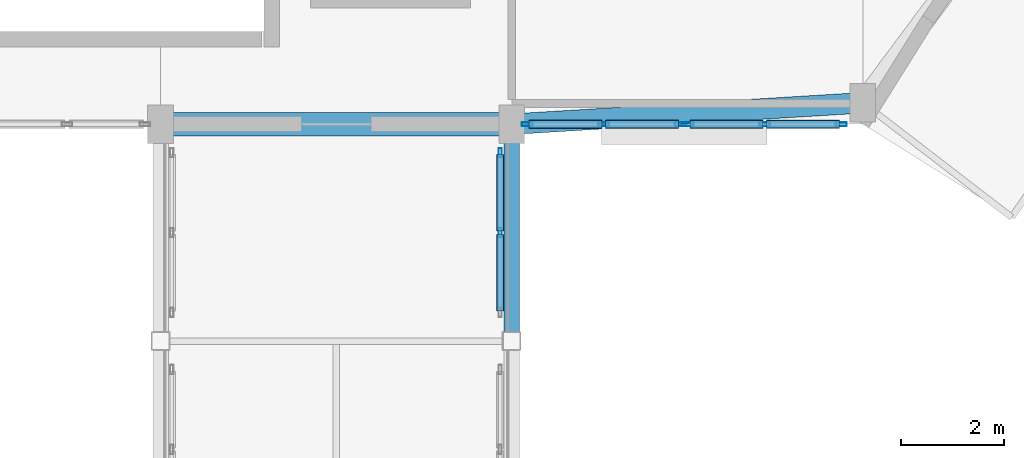
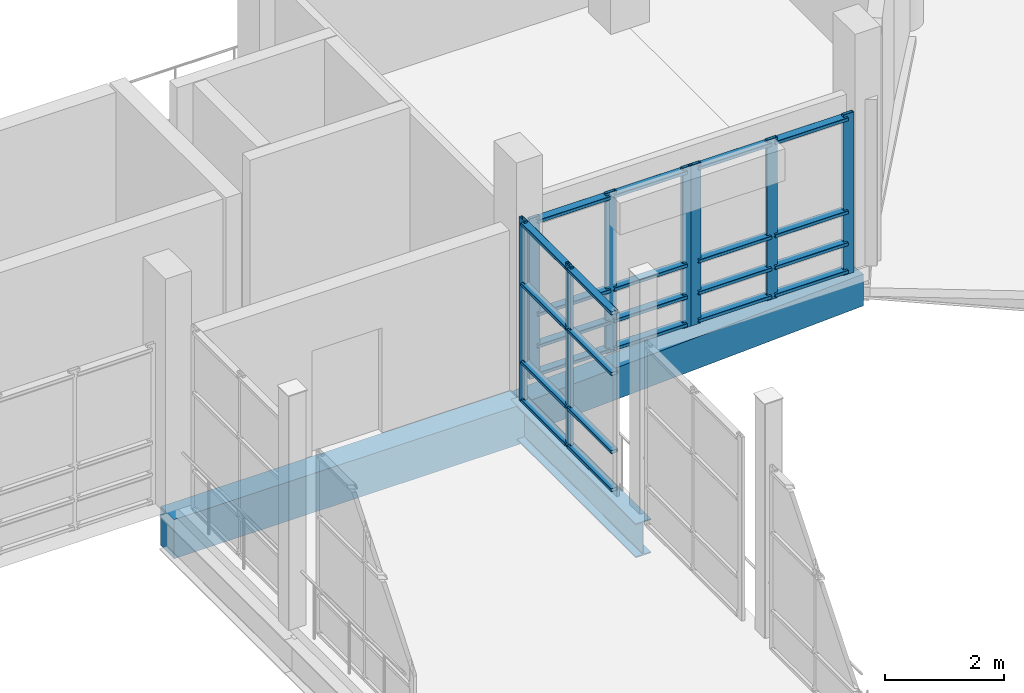
# One storey, part 27 of 106: 32 members, 3 beams, 3 elements without a shape of their own.
"""IFC4 building model written with IfcOpenShell, lengths in metres."""

from ifc_helpers import new_model, si_unit, direction, frame, origin, origin_2d, place, context, subcontext, project, spatial, rectangle, hollow_rectangle, i_section, extrude, material, layer, layer_set, material_profile, profile_set, type_object, element, aggregate, save


model = new_model("IFC4")

# Units and contexts
model_context = context("Model", 3, precision=1e-05, world=origin(), true_north=direction((0.0, 1.0)))
body_context = subcontext(model_context, "Body", "Model", "MODEL_VIEW")
ifc_project = project(units=[si_unit("LENGTHUNIT", "METRE"), si_unit("AREAUNIT", "SQUARE_METRE"), si_unit("VOLUMEUNIT", "CUBIC_METRE"), si_unit("PLANEANGLEUNIT", "RADIAN"), si_unit("MASSUNIT", "GRAM", prefix="KILO")], contexts=[model_context])

# Site, building, storey
site_placement = place(None, origin())
site = spatial("IfcSite", under=ifc_project, at=site_placement, CompositionType="ELEMENT")
building_placement = place(site_placement, origin())
building = spatial("IfcBuilding", under=site, at=building_placement, Name="Kisaragi Civic Commons", CompositionType="ELEMENT")
storey_placement = place(building_placement, frame((0.0, 0.0, 4.800048828125)))
storey = spatial("IfcBuildingStorey", under=building, at=storey_placement, Name="L01", CompositionType="ELEMENT", Elevation=4.800048828125)

# Curtain wall, members
ifc_material_1 = material(Name="Thermally broken anodized aluminium and low-E double glazing", Category="aluminium")
ifc_layer_1 = layer(ifc_material_1, 0.179931640625, Name="Thermally broken anodized aluminium and low-E double glazing", Category="aluminium")
ifc_layer_set_1 = layer_set([ifc_layer_1], Name="Thermally broken anodized aluminium and low-E double glazing")
curtain_wall_type_1 = type_object("IfcCurtainWallType", Name="CW-04", PredefinedType="NOTDEFINED", material=ifc_layer_set_1)
curtain_wall_1_placement = place(storey_placement, origin())
curtain_wall_1 = element("IfcCurtainWall", 1, at=curtain_wall_1_placement, inside=storey, type_object=curtain_wall_type_1, Name="L01 curtain wall CW-04 CW-BR-132", PredefinedType="NOTDEFINED")
ifc_material_profile_1 = material_profile(ifc_material_1, hollow_rectangle(XDim=0.06494140625, YDim=0.179931640625, WallThickness=0.00439453125, InnerFilletRadius=0.00439453125, OuterFilletRadius=0.009033203125, at=origin_2d()), Name="CWM-65x180x4.5", Category="aluminium")
ifc_profile_set_1 = profile_set([ifc_material_profile_1], Name="Thermally broken anodized aluminium and low-E double glazing")
member_type_1 = type_object("IfcMemberType", Name="CWM-02", PredefinedType="MULLION", material=ifc_profile_set_1)
member_1_placement = place(storey_placement, frame((20.179931640625, 77.10009765625, 0.0), z_axis=(0.0, 0.0, 1.0), x_axis=(-1.0, 0.0, 0.0)))
member_1 = element("IfcMember", 2, at=member_1_placement, type_object=member_type_1, Name="CW-04 mullion 2", PredefinedType="MULLION", context=body_context, shape_type="SweptSolid", body=[
    extrude(hollow_rectangle(XDim=0.06494140625, YDim=0.179931640625, WallThickness=0.00439453125, InnerFilletRadius=0.00439453125, OuterFilletRadius=0.009033203125, at=origin_2d()), origin(), (0.0, 0.0, 1.0), 3.760009765625),
])
member_2_placement = place(storey_placement, frame((20.179931640625, 78.6474609375, 0.0), z_axis=(0.0, 0.0, 1.0), x_axis=(-1.0, 0.0, 0.0)))
member_2 = element("IfcMember", 3, at=member_2_placement, type_object=member_type_1, Name="CW-04 mullion 3", PredefinedType="MULLION", context=body_context, shape_type="SweptSolid", body=[
    extrude(hollow_rectangle(XDim=0.06494140625, YDim=0.179931640625, WallThickness=0.00439453125, InnerFilletRadius=0.00439453125, OuterFilletRadius=0.009033203125, at=origin_2d()), origin(), (0.0, 0.0, 1.0), 3.760009765625),
])

ifc_layer_2 = layer(ifc_material_1, 0.2099609375, Name="Thermally broken anodized aluminium and low-E double glazing", Category="aluminium")
ifc_layer_set_2 = layer_set([ifc_layer_2], Name="Thermally broken anodized aluminium and low-E double glazing")
curtain_wall_type_2 = type_object("IfcCurtainWallType", Name="CW-02", PredefinedType="NOTDEFINED", material=ifc_layer_set_2)
curtain_wall_2_placement = place(storey_placement, origin())
curtain_wall_2 = element("IfcCurtainWall", 4, at=curtain_wall_2_placement, inside=storey, type_object=curtain_wall_type_2, Name="L01 curtain wall CW-02 CW-V2-L01-005", PredefinedType="NOTDEFINED")
ifc_material_profile_2 = material_profile(ifc_material_1, hollow_rectangle(XDim=0.070068359375, YDim=0.2099609375, WallThickness=0.0048828125, InnerFilletRadius=0.0048828125, OuterFilletRadius=0.010009765625, at=origin_2d()), Name="CWM-70x210x5", Category="aluminium")
ifc_profile_set_2 = profile_set([ifc_material_profile_2], Name="Thermally broken anodized aluminium and low-E double glazing")
member_type_2 = type_object("IfcMemberType", Name="CWM-03", PredefinedType="MULLION", material=ifc_profile_set_2)
member_3_placement = place(storey_placement, frame((26.784912109375, 79.199951171875, 0.0), z_axis=(0.0, 0.0, 1.0), x_axis=(0.0, -1.0, 0.0)))
member_3 = element("IfcMember", 5, at=member_3_placement, type_object=member_type_2, Name="CW-02 mullion 1", PredefinedType="MULLION", context=body_context, shape_type="SweptSolid", body=[
    extrude(hollow_rectangle(XDim=0.070068359375, YDim=0.2099609375, WallThickness=0.0048828125, InnerFilletRadius=0.0048828125, OuterFilletRadius=0.010009765625, at=origin_2d()), origin(), (0.0, 0.0, 1.0), 3.284912109375),
])
member_4_placement = place(storey_placement, frame((25.30126953125, 79.199951171875, 0.0), z_axis=(0.0, 0.0, 1.0), x_axis=(0.0, -1.0, 0.0)))
member_4 = element("IfcMember", 6, at=member_4_placement, type_object=member_type_2, Name="CW-02 mullion 2", PredefinedType="MULLION", context=body_context, shape_type="SweptSolid", body=[
    extrude(hollow_rectangle(XDim=0.070068359375, YDim=0.2099609375, WallThickness=0.0048828125, InnerFilletRadius=0.0048828125, OuterFilletRadius=0.010009765625, at=origin_2d()), origin(), (0.0, 0.0, 1.0), 3.284912109375),
])
member_5_placement = place(storey_placement, frame((23.8173828125, 79.199951171875, 0.0), z_axis=(0.0, 0.0, 1.0), x_axis=(0.0, -1.0, 0.0)))
member_5 = element("IfcMember", 7, at=member_5_placement, type_object=member_type_2, Name="CW-02 mullion 3", PredefinedType="MULLION", context=body_context, shape_type="SweptSolid", body=[
    extrude(hollow_rectangle(XDim=0.070068359375, YDim=0.2099609375, WallThickness=0.0048828125, InnerFilletRadius=0.0048828125, OuterFilletRadius=0.010009765625, at=origin_2d()), origin(), (0.0, 0.0, 1.0), 3.284912109375),
])

curtain_wall_3_placement = place(storey_placement, origin())
curtain_wall_3 = element("IfcCurtainWall", 8, at=curtain_wall_3_placement, inside=storey, type_object=curtain_wall_type_2, Name="L01 curtain wall CW-02 CW-V2-L01-006", PredefinedType="NOTDEFINED")
member_6_placement = place(storey_placement, frame((23.66748046875, 79.199951171875, 0.0), z_axis=(0.0, 0.0, 1.0), x_axis=(0.0, -1.0, 0.0)))
member_6 = element("IfcMember", 9, at=member_6_placement, type_object=member_type_2, Name="CW-02 mullion 1", PredefinedType="MULLION", context=body_context, shape_type="SweptSolid", body=[
    extrude(hollow_rectangle(XDim=0.070068359375, YDim=0.2099609375, WallThickness=0.0048828125, InnerFilletRadius=0.0048828125, OuterFilletRadius=0.010009765625, at=origin_2d()), origin(), (0.0, 0.0, 1.0), 3.284912109375),
])
member_7_placement = place(storey_placement, frame((22.183837890625, 79.199951171875, 0.0), z_axis=(0.0, 0.0, 1.0), x_axis=(0.0, -1.0, 0.0)))
member_7 = element("IfcMember", 10, at=member_7_placement, type_object=member_type_2, Name="CW-02 mullion 2", PredefinedType="MULLION", context=body_context, shape_type="SweptSolid", body=[
    extrude(hollow_rectangle(XDim=0.070068359375, YDim=0.2099609375, WallThickness=0.0048828125, InnerFilletRadius=0.0048828125, OuterFilletRadius=0.010009765625, at=origin_2d()), origin(), (0.0, 0.0, 1.0), 3.284912109375),
])
member_8_placement = place(storey_placement, frame((20.699951171875, 79.199951171875, 0.0), z_axis=(0.0, 0.0, 1.0), x_axis=(0.0, -1.0, 0.0)))
member_8 = element("IfcMember", 11, at=member_8_placement, type_object=member_type_2, Name="CW-02 mullion 3", PredefinedType="MULLION", context=body_context, shape_type="SweptSolid", body=[
    extrude(hollow_rectangle(XDim=0.070068359375, YDim=0.2099609375, WallThickness=0.0048828125, InnerFilletRadius=0.0048828125, OuterFilletRadius=0.010009765625, at=origin_2d()), origin(), (0.0, 0.0, 1.0), 3.284912109375),
])

# Member
ifc_material_profile_3 = material_profile(ifc_material_1, hollow_rectangle(XDim=0.139892578125, YDim=0.06494140625, WallThickness=0.00439453125, InnerFilletRadius=0.00439453125, OuterFilletRadius=0.009033203125, at=origin_2d()), Name="CWT-65x140x4.5", Category="aluminium")
ifc_profile_set_3 = profile_set([ifc_material_profile_3], Name="Thermally broken anodized aluminium and low-E double glazing")
member_type_3 = type_object("IfcMemberType", Name="CWT-02", PredefinedType="USERDEFINED", material=ifc_profile_set_3)
member_9_placement = place(storey_placement, frame((20.179931640625, 75.5849609375, 0.070068359375), z_axis=(0.0, 1.0, 0.0), x_axis=(-1.0, 0.0, 0.0)))
member_9 = element("IfcMember", 12, at=member_9_placement, type_object=member_type_3, Name="CW-04 transom 1.1", ObjectType="TRANSOM", PredefinedType="USERDEFINED", context=body_context, shape_type="SweptSolid", body=[
    extrude(hollow_rectangle(XDim=0.139892578125, YDim=0.06494140625, WallThickness=0.00439453125, InnerFilletRadius=0.00439453125, OuterFilletRadius=0.009033203125, at=origin_2d()), origin(), (0.0, 0.0, 1.0), 1.482421875),
])

member_10_placement = place(storey_placement, frame((20.179931640625, 75.5849609375, 0.849853515625), z_axis=(0.0, 1.0, 0.0), x_axis=(-1.0, 0.0, 0.0)))
member_10 = element("IfcMember", 13, at=member_10_placement, type_object=member_type_3, Name="CW-04 transom 1.2", ObjectType="TRANSOM", PredefinedType="USERDEFINED", context=body_context, shape_type="SweptSolid", body=[
    extrude(hollow_rectangle(XDim=0.139892578125, YDim=0.06494140625, WallThickness=0.00439453125, InnerFilletRadius=0.00439453125, OuterFilletRadius=0.009033203125, at=origin_2d()), origin(), (0.0, 0.0, 1.0), 1.482421875),
])

member_11_placement = place(storey_placement, frame((20.179931640625, 75.5849609375, 2.449951171875), z_axis=(0.0, 1.0, 0.0), x_axis=(-1.0, 0.0, 0.0)))
member_11 = element("IfcMember", 14, at=member_11_placement, type_object=member_type_3, Name="CW-04 transom 1.3", ObjectType="TRANSOM", PredefinedType="USERDEFINED", context=body_context, shape_type="SweptSolid", body=[
    extrude(hollow_rectangle(XDim=0.139892578125, YDim=0.06494140625, WallThickness=0.00439453125, InnerFilletRadius=0.00439453125, OuterFilletRadius=0.009033203125, at=origin_2d()), origin(), (0.0, 0.0, 1.0), 1.482421875),
])

member_12_placement = place(storey_placement, frame((20.179931640625, 75.5849609375, 3.68994140625), z_axis=(0.0, 1.0, 0.0), x_axis=(-1.0, 0.0, 0.0)))
member_12 = element("IfcMember", 15, at=member_12_placement, type_object=member_type_3, Name="CW-04 transom 1.4", ObjectType="TRANSOM", PredefinedType="USERDEFINED", context=body_context, shape_type="SweptSolid", body=[
    extrude(hollow_rectangle(XDim=0.139892578125, YDim=0.06494140625, WallThickness=0.00439453125, InnerFilletRadius=0.00439453125, OuterFilletRadius=0.009033203125, at=origin_2d()), origin(), (0.0, 0.0, 1.0), 1.482421875),
])

member_13_placement = place(storey_placement, frame((20.179931640625, 77.132568359375, 0.070068359375), z_axis=(0.0, 1.0, 0.0), x_axis=(-1.0, 0.0, 0.0)))
member_13 = element("IfcMember", 16, at=member_13_placement, type_object=member_type_3, Name="CW-04 transom 2.1", ObjectType="TRANSOM", PredefinedType="USERDEFINED", context=body_context, shape_type="SweptSolid", body=[
    extrude(hollow_rectangle(XDim=0.139892578125, YDim=0.06494140625, WallThickness=0.00439453125, InnerFilletRadius=0.00439453125, OuterFilletRadius=0.009033203125, at=origin_2d()), origin(), (0.0, 0.0, 1.0), 1.482421875),
])

member_14_placement = place(storey_placement, frame((20.179931640625, 77.132568359375, 0.849853515625), z_axis=(0.0, 1.0, 0.0), x_axis=(-1.0, 0.0, 0.0)))
member_14 = element("IfcMember", 17, at=member_14_placement, type_object=member_type_3, Name="CW-04 transom 2.2", ObjectType="TRANSOM", PredefinedType="USERDEFINED", context=body_context, shape_type="SweptSolid", body=[
    extrude(hollow_rectangle(XDim=0.139892578125, YDim=0.06494140625, WallThickness=0.00439453125, InnerFilletRadius=0.00439453125, OuterFilletRadius=0.009033203125, at=origin_2d()), origin(), (0.0, 0.0, 1.0), 1.482421875),
])

member_15_placement = place(storey_placement, frame((20.179931640625, 77.132568359375, 2.449951171875), z_axis=(0.0, 1.0, 0.0), x_axis=(-1.0, 0.0, 0.0)))
member_15 = element("IfcMember", 18, at=member_15_placement, type_object=member_type_3, Name="CW-04 transom 2.3", ObjectType="TRANSOM", PredefinedType="USERDEFINED", context=body_context, shape_type="SweptSolid", body=[
    extrude(hollow_rectangle(XDim=0.139892578125, YDim=0.06494140625, WallThickness=0.00439453125, InnerFilletRadius=0.00439453125, OuterFilletRadius=0.009033203125, at=origin_2d()), origin(), (0.0, 0.0, 1.0), 1.482421875),
])

member_16_placement = place(storey_placement, frame((20.179931640625, 77.132568359375, 3.68994140625), z_axis=(0.0, 1.0, 0.0), x_axis=(-1.0, 0.0, 0.0)))
member_16 = element("IfcMember", 19, at=member_16_placement, type_object=member_type_3, Name="CW-04 transom 2.4", ObjectType="TRANSOM", PredefinedType="USERDEFINED", context=body_context, shape_type="SweptSolid", body=[
    extrude(hollow_rectangle(XDim=0.139892578125, YDim=0.06494140625, WallThickness=0.00439453125, InnerFilletRadius=0.00439453125, OuterFilletRadius=0.009033203125, at=origin_2d()), origin(), (0.0, 0.0, 1.0), 1.482421875),
])

aggregate(curtain_wall_1, [member_1, member_2, member_9, member_10, member_11, member_12, member_13, member_14, member_15, member_16])

ifc_material_profile_4 = material_profile(ifc_material_1, hollow_rectangle(XDim=0.159912109375, YDim=0.070068359375, WallThickness=0.0048828125, InnerFilletRadius=0.0048828125, OuterFilletRadius=0.010009765625, at=origin_2d()), Name="CWT-70x160x5", Category="aluminium")
ifc_profile_set_4 = profile_set([ifc_material_profile_4], Name="Thermally broken anodized aluminium and low-E double glazing")
member_type_4 = type_object("IfcMemberType", Name="CWT-03", PredefinedType="USERDEFINED", material=ifc_profile_set_4)
member_17_placement = place(storey_placement, frame((26.75, 79.199951171875, 0.079833984375), z_axis=(-1.0, 0.0, 0.0), x_axis=(0.0, -1.0, 0.0)))
member_17 = element("IfcMember", 20, at=member_17_placement, type_object=member_type_4, Name="CW-02 transom 1.1", ObjectType="TRANSOM", PredefinedType="USERDEFINED", context=body_context, shape_type="SweptSolid", body=[
    extrude(hollow_rectangle(XDim=0.159912109375, YDim=0.070068359375, WallThickness=0.0048828125, InnerFilletRadius=0.0048828125, OuterFilletRadius=0.010009765625, at=origin_2d()), origin(), (0.0, 0.0, 1.0), 1.413818359375),
])

member_18_placement = place(storey_placement, frame((26.75, 79.199951171875, 0.64990234375), z_axis=(-1.0, 0.0, 0.0), x_axis=(0.0, -1.0, 0.0)))
member_18 = element("IfcMember", 21, at=member_18_placement, type_object=member_type_4, Name="CW-02 transom 1.2", ObjectType="TRANSOM", PredefinedType="USERDEFINED", context=body_context, shape_type="SweptSolid", body=[
    extrude(hollow_rectangle(XDim=0.159912109375, YDim=0.070068359375, WallThickness=0.0048828125, InnerFilletRadius=0.0048828125, OuterFilletRadius=0.010009765625, at=origin_2d()), origin(), (0.0, 0.0, 1.0), 1.413818359375),
])

member_19_placement = place(storey_placement, frame((26.75, 79.199951171875, 1.300048828125), z_axis=(-1.0, 0.0, 0.0), x_axis=(0.0, -1.0, 0.0)))
member_19 = element("IfcMember", 22, at=member_19_placement, type_object=member_type_4, Name="CW-02 transom 1.3", ObjectType="TRANSOM", PredefinedType="USERDEFINED", context=body_context, shape_type="SweptSolid", body=[
    extrude(hollow_rectangle(XDim=0.159912109375, YDim=0.070068359375, WallThickness=0.0048828125, InnerFilletRadius=0.0048828125, OuterFilletRadius=0.010009765625, at=origin_2d()), origin(), (0.0, 0.0, 1.0), 1.413818359375),
])

member_20_placement = place(storey_placement, frame((26.75, 79.199951171875, 3.204833984375), z_axis=(-1.0, 0.0, 0.0), x_axis=(0.0, -1.0, 0.0)))
member_20 = element("IfcMember", 23, at=member_20_placement, type_object=member_type_4, Name="CW-02 transom 1.4", ObjectType="TRANSOM", PredefinedType="USERDEFINED", context=body_context, shape_type="SweptSolid", body=[
    extrude(hollow_rectangle(XDim=0.159912109375, YDim=0.070068359375, WallThickness=0.0048828125, InnerFilletRadius=0.0048828125, OuterFilletRadius=0.010009765625, at=origin_2d()), origin(), (0.0, 0.0, 1.0), 1.413818359375),
])

member_21_placement = place(storey_placement, frame((25.266357421875, 79.199951171875, 0.079833984375), z_axis=(-1.0, 0.0, 0.0), x_axis=(0.0, -1.0, 0.0)))
member_21 = element("IfcMember", 24, at=member_21_placement, type_object=member_type_4, Name="CW-02 transom 2.1", ObjectType="TRANSOM", PredefinedType="USERDEFINED", context=body_context, shape_type="SweptSolid", body=[
    extrude(hollow_rectangle(XDim=0.159912109375, YDim=0.070068359375, WallThickness=0.0048828125, InnerFilletRadius=0.0048828125, OuterFilletRadius=0.010009765625, at=origin_2d()), origin(), (0.0, 0.0, 1.0), 1.413818359375),
])

member_22_placement = place(storey_placement, frame((25.266357421875, 79.199951171875, 0.64990234375), z_axis=(-1.0, 0.0, 0.0), x_axis=(0.0, -1.0, 0.0)))
member_22 = element("IfcMember", 25, at=member_22_placement, type_object=member_type_4, Name="CW-02 transom 2.2", ObjectType="TRANSOM", PredefinedType="USERDEFINED", context=body_context, shape_type="SweptSolid", body=[
    extrude(hollow_rectangle(XDim=0.159912109375, YDim=0.070068359375, WallThickness=0.0048828125, InnerFilletRadius=0.0048828125, OuterFilletRadius=0.010009765625, at=origin_2d()), origin(), (0.0, 0.0, 1.0), 1.413818359375),
])

member_23_placement = place(storey_placement, frame((25.266357421875, 79.199951171875, 1.300048828125), z_axis=(-1.0, 0.0, 0.0), x_axis=(0.0, -1.0, 0.0)))
member_23 = element("IfcMember", 26, at=member_23_placement, type_object=member_type_4, Name="CW-02 transom 2.3", ObjectType="TRANSOM", PredefinedType="USERDEFINED", context=body_context, shape_type="SweptSolid", body=[
    extrude(hollow_rectangle(XDim=0.159912109375, YDim=0.070068359375, WallThickness=0.0048828125, InnerFilletRadius=0.0048828125, OuterFilletRadius=0.010009765625, at=origin_2d()), origin(), (0.0, 0.0, 1.0), 1.413818359375),
])

member_24_placement = place(storey_placement, frame((25.266357421875, 79.199951171875, 3.204833984375), z_axis=(-1.0, 0.0, 0.0), x_axis=(0.0, -1.0, 0.0)))
member_24 = element("IfcMember", 27, at=member_24_placement, type_object=member_type_4, Name="CW-02 transom 2.4", ObjectType="TRANSOM", PredefinedType="USERDEFINED", context=body_context, shape_type="SweptSolid", body=[
    extrude(hollow_rectangle(XDim=0.159912109375, YDim=0.070068359375, WallThickness=0.0048828125, InnerFilletRadius=0.0048828125, OuterFilletRadius=0.010009765625, at=origin_2d()), origin(), (0.0, 0.0, 1.0), 1.413818359375),
])

aggregate(curtain_wall_2, [member_3, member_4, member_5, member_17, member_18, member_19, member_20, member_21, member_22, member_23, member_24])

member_25_placement = place(storey_placement, frame((23.632568359375, 79.199951171875, 0.079833984375), z_axis=(-1.0, 0.0, 0.0), x_axis=(0.0, -1.0, 0.0)))
member_25 = element("IfcMember", 28, at=member_25_placement, type_object=member_type_4, Name="CW-02 transom 1.1", ObjectType="TRANSOM", PredefinedType="USERDEFINED", context=body_context, shape_type="SweptSolid", body=[
    extrude(hollow_rectangle(XDim=0.159912109375, YDim=0.070068359375, WallThickness=0.0048828125, InnerFilletRadius=0.0048828125, OuterFilletRadius=0.010009765625, at=origin_2d()), origin(), (0.0, 0.0, 1.0), 1.413818359375),
])

member_26_placement = place(storey_placement, frame((23.632568359375, 79.199951171875, 0.64990234375), z_axis=(-1.0, 0.0, 0.0), x_axis=(0.0, -1.0, 0.0)))
member_26 = element("IfcMember", 29, at=member_26_placement, type_object=member_type_4, Name="CW-02 transom 1.2", ObjectType="TRANSOM", PredefinedType="USERDEFINED", context=body_context, shape_type="SweptSolid", body=[
    extrude(hollow_rectangle(XDim=0.159912109375, YDim=0.070068359375, WallThickness=0.0048828125, InnerFilletRadius=0.0048828125, OuterFilletRadius=0.010009765625, at=origin_2d()), origin(), (0.0, 0.0, 1.0), 1.413818359375),
])

member_27_placement = place(storey_placement, frame((23.632568359375, 79.199951171875, 1.300048828125), z_axis=(-1.0, 0.0, 0.0), x_axis=(0.0, -1.0, 0.0)))
member_27 = element("IfcMember", 30, at=member_27_placement, type_object=member_type_4, Name="CW-02 transom 1.3", ObjectType="TRANSOM", PredefinedType="USERDEFINED", context=body_context, shape_type="SweptSolid", body=[
    extrude(hollow_rectangle(XDim=0.159912109375, YDim=0.070068359375, WallThickness=0.0048828125, InnerFilletRadius=0.0048828125, OuterFilletRadius=0.010009765625, at=origin_2d()), origin(), (0.0, 0.0, 1.0), 1.413818359375),
])

member_28_placement = place(storey_placement, frame((23.632568359375, 79.199951171875, 3.204833984375), z_axis=(-1.0, 0.0, 0.0), x_axis=(0.0, -1.0, 0.0)))
member_28 = element("IfcMember", 31, at=member_28_placement, type_object=member_type_4, Name="CW-02 transom 1.4", ObjectType="TRANSOM", PredefinedType="USERDEFINED", context=body_context, shape_type="SweptSolid", body=[
    extrude(hollow_rectangle(XDim=0.159912109375, YDim=0.070068359375, WallThickness=0.0048828125, InnerFilletRadius=0.0048828125, OuterFilletRadius=0.010009765625, at=origin_2d()), origin(), (0.0, 0.0, 1.0), 1.413818359375),
])

member_29_placement = place(storey_placement, frame((22.148681640625, 79.199951171875, 0.079833984375), z_axis=(-1.0, 0.0, 0.0), x_axis=(0.0, -1.0, 0.0)))
member_29 = element("IfcMember", 32, at=member_29_placement, type_object=member_type_4, Name="CW-02 transom 2.1", ObjectType="TRANSOM", PredefinedType="USERDEFINED", context=body_context, shape_type="SweptSolid", body=[
    extrude(hollow_rectangle(XDim=0.159912109375, YDim=0.070068359375, WallThickness=0.0048828125, InnerFilletRadius=0.0048828125, OuterFilletRadius=0.010009765625, at=origin_2d()), origin(), (0.0, 0.0, 1.0), 1.41357421875),
])

member_30_placement = place(storey_placement, frame((22.148681640625, 79.199951171875, 0.64990234375), z_axis=(-1.0, 0.0, 0.0), x_axis=(0.0, -1.0, 0.0)))
member_30 = element("IfcMember", 33, at=member_30_placement, type_object=member_type_4, Name="CW-02 transom 2.2", ObjectType="TRANSOM", PredefinedType="USERDEFINED", context=body_context, shape_type="SweptSolid", body=[
    extrude(hollow_rectangle(XDim=0.159912109375, YDim=0.070068359375, WallThickness=0.0048828125, InnerFilletRadius=0.0048828125, OuterFilletRadius=0.010009765625, at=origin_2d()), origin(), (0.0, 0.0, 1.0), 1.41357421875),
])

member_31_placement = place(storey_placement, frame((22.148681640625, 79.199951171875, 1.300048828125), z_axis=(-1.0, 0.0, 0.0), x_axis=(0.0, -1.0, 0.0)))
member_31 = element("IfcMember", 34, at=member_31_placement, type_object=member_type_4, Name="CW-02 transom 2.3", ObjectType="TRANSOM", PredefinedType="USERDEFINED", context=body_context, shape_type="SweptSolid", body=[
    extrude(hollow_rectangle(XDim=0.159912109375, YDim=0.070068359375, WallThickness=0.0048828125, InnerFilletRadius=0.0048828125, OuterFilletRadius=0.010009765625, at=origin_2d()), origin(), (0.0, 0.0, 1.0), 1.41357421875),
])

member_32_placement = place(storey_placement, frame((22.148681640625, 79.199951171875, 3.204833984375), z_axis=(-1.0, 0.0, 0.0), x_axis=(0.0, -1.0, 0.0)))
member_32 = element("IfcMember", 35, at=member_32_placement, type_object=member_type_4, Name="CW-02 transom 2.4", ObjectType="TRANSOM", PredefinedType="USERDEFINED", context=body_context, shape_type="SweptSolid", body=[
    extrude(hollow_rectangle(XDim=0.159912109375, YDim=0.070068359375, WallThickness=0.0048828125, InnerFilletRadius=0.0048828125, OuterFilletRadius=0.010009765625, at=origin_2d()), origin(), (0.0, 0.0, 1.0), 1.41357421875),
])

aggregate(curtain_wall_3, [member_6, member_7, member_8, member_25, member_26, member_27, member_28, member_29, member_30, member_31, member_32])

# Beams
ifc_material_2 = material(Name="Steel SN490 (SN490B)", Category="steel")
ifc_material_profile_5 = material_profile(ifc_material_2, i_section(OverallWidth=0.300048828125, OverallDepth=0.699951171875, WebThickness=0.012939453125, FlangeThickness=0.02392578125, FilletRadius=0.01806640625, at=origin_2d()), Name="H-700x300x13x24", Category="steel")
ifc_profile_set_5 = profile_set([ifc_material_profile_5], Name="Steel SN490 (SN490B)")
beam_type_1 = type_object("IfcBeamType", Name="G-09", PredefinedType="BEAM", material=ifc_profile_set_5)
beam_1_placement = place(storey_placement, frame((20.39990234375, 79.199951171875, -0.655029296875), z_axis=(0.0, -1.0, 0.0), x_axis=(1.0, 0.0, 0.0)))
element("IfcBeam", 36, at=beam_1_placement, inside=storey, type_object=beam_type_1, Name="BR-V2-V1 L01 bridge girder 66", PredefinedType="BEAM", context=body_context, shape_type="SweptSolid", body=[
    extrude(i_section(OverallWidth=0.300048828125, OverallDepth=0.699951171875, WebThickness=0.012939453125, FlangeThickness=0.02392578125, FilletRadius=0.01806640625, at=origin_2d()), origin(), (0.0, 0.0, 1.0), 4.199951171875),
])
ifc_material_3 = material(Name="Concrete Fc30", Category="concrete")
ifc_material_profile_6 = material_profile(ifc_material_3, rectangle(XDim=0.449951171875, YDim=0.800048828125, at=origin_2d()), Name="RC-450x800", Category="concrete")
ifc_profile_set_6 = profile_set([ifc_material_profile_6], Name="Concrete Fc30")
beam_type_2 = type_object("IfcBeamType", Name="SPB-01", PredefinedType="SPANDREL", material=ifc_profile_set_6)
beam_2_placement = place(storey_placement, frame((13.60009765625, 79.199951171875, -0.705078125), z_axis=(1.0, 0.0, 0.0), x_axis=(0.0, 1.0, 0.0)))
element("IfcBeam", 37, at=beam_2_placement, inside=storey, type_object=beam_type_2, Name="L01 girder SPB-01 172", PredefinedType="SPANDREL", context=body_context, shape_type="SweptSolid", body=[
    extrude(rectangle(XDim=0.449951171875, YDim=0.800048828125, at=origin_2d()), origin(), (0.0, 0.0, 1.0), 6.7998046875),
])
ifc_material_profile_7 = material_profile(ifc_material_3, rectangle(XDim=0.39990234375, YDim=0.64990234375, at=origin_2d()), Name="RC-400x650", Category="concrete")
ifc_profile_set_7 = profile_set([ifc_material_profile_7], Name="Concrete Fc30")
beam_type_3 = type_object("IfcBeamType", Name="SPB-02", PredefinedType="SPANDREL", material=ifc_profile_set_7)
beam_3_placement = place(storey_placement, frame((20.39990234375, 79.199951171875, -0.630126953125), z_axis=(0.998146925239, 0.060849943599, 0.0), x_axis=(-0.060849943599, 0.998146925239, 0.0)))
element("IfcBeam", 38, at=beam_3_placement, inside=storey, type_object=beam_type_3, Name="L01 curved spandrel/ring girder SPB-02 203", PredefinedType="SPANDREL", context=body_context, shape_type="SweptSolid", body=[
    extrude(rectangle(XDim=0.39990234375, YDim=0.64990234375, at=origin_2d()), origin(), (0.0, 0.0, 1.0), 6.812744140625),
])

save(model, "model.ifc")
